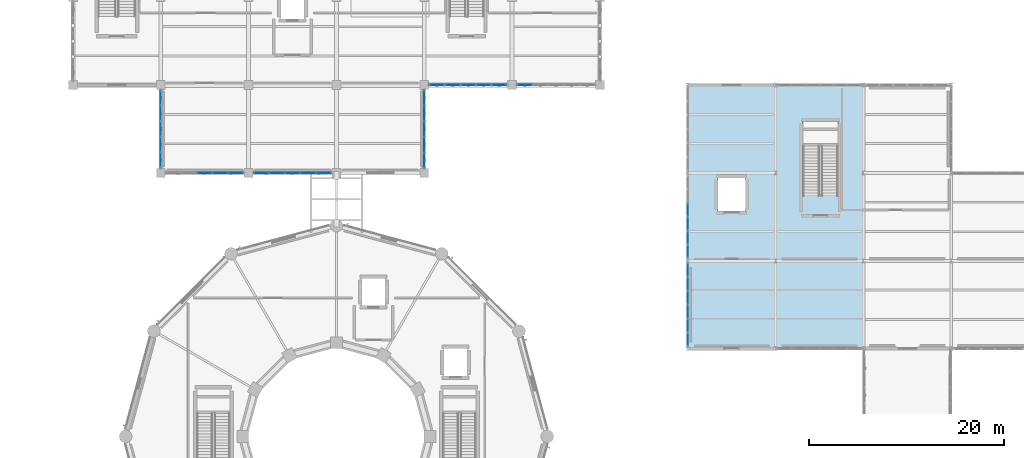
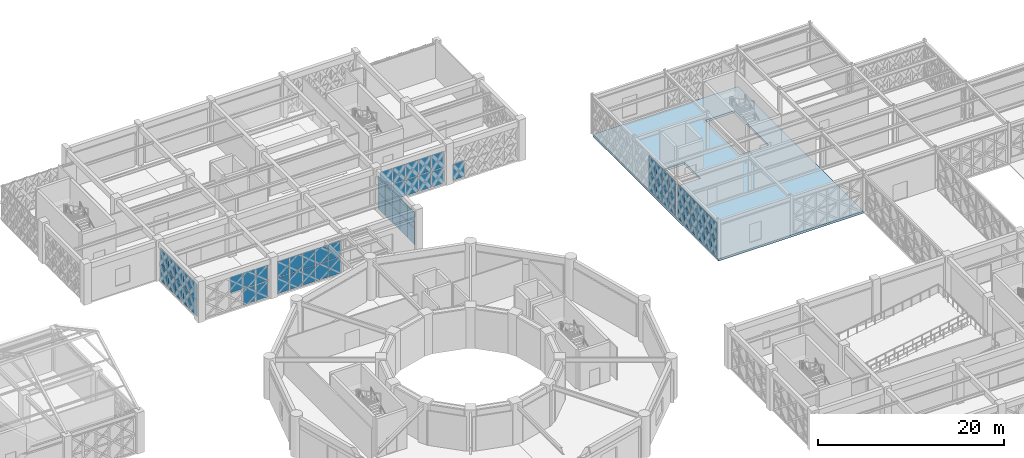
# One storey, part 132 of 166: 66 plates, 1 slab, 8 elements without a shape of their own.
"""IFC4 building model written with IfcOpenShell, lengths in metres."""

from ifc_helpers import new_model, si_unit, direction, frame, origin, origin_2d, place, context, subcontext, project, spatial, polyline, rectangle, outline, extrude, material, layer, layer_set, type_object, element, aggregate, save


model = new_model("IFC4")

# Units and contexts
model_context = context("Model", 3, precision=1e-05, world=origin(), true_north=direction((0.0, 1.0)))
body_context = subcontext(model_context, "Body", "Model", "MODEL_VIEW")
ifc_project = project(units=[si_unit("LENGTHUNIT", "METRE"), si_unit("AREAUNIT", "SQUARE_METRE"), si_unit("VOLUMEUNIT", "CUBIC_METRE"), si_unit("PLANEANGLEUNIT", "RADIAN"), si_unit("MASSUNIT", "GRAM", prefix="KILO")], contexts=[model_context])

# Site, building, storey
site_placement = place(None, origin())
site = spatial("IfcSite", under=ifc_project, at=site_placement, CompositionType="ELEMENT")
building_placement = place(site_placement, origin())
building = spatial("IfcBuilding", under=site, at=building_placement, Name="Haizhuo Lancet Aquarium", CompositionType="ELEMENT")
storey_placement = place(building_placement, frame((0.0, 0.0, 5.39990234375)))
storey = spatial("IfcBuildingStorey", under=building, at=storey_placement, Name="L01", CompositionType="ELEMENT", Elevation=5.39990234375)

# Curtain wall, plate
ifc_material_1 = material(Name="Aluminium 6063-T6", Category="aluminium")
curtain_wall_type_1 = type_object("IfcCurtainWallType", Name="CWD-8010x4390", PredefinedType="NOTDEFINED", material=ifc_material_1)
curtain_wall_1_placement = place(storey_placement, origin())
curtain_wall_1 = element("IfcCurtainWall", 1, at=curtain_wall_1_placement, inside=storey, type_object=curtain_wall_type_1, Name="L01 curtain wall CW-V5-L01-137", PredefinedType="NOTDEFINED")
ifc_material_2 = material(Name="Laminated Low-E Glass", Category="glass")
ifc_layer_1 = layer(ifc_material_2, 0.028076171875)
ifc_layer_set_1 = layer_set([ifc_layer_1], Name="Laminated Low-E Glass")
plate_type_1 = type_object("IfcPlateType", Name="CW-PNL-1", PredefinedType="CURTAIN_PANEL", material=ifc_layer_set_1)
plate_1_placement = place(storey_placement, frame((19.31494140625, 36.0, 0.07470703125), z_axis=(0.0, 0.0, 1.0), x_axis=(-1.0, 0.0, 0.0)))
plate_1 = element("IfcPlate", 2, at=plate_1_placement, type_object=plate_type_1, Name="CWD-80x43 panel 5.1", PredefinedType="CURTAIN_PANEL", context=body_context, shape_type="SweptSolid", body=[
    extrude(rectangle(XDim=1.489990234375, YDim=0.028076171875, at=origin_2d()), origin(), (0.0, 0.0, 1.0), 2.0830078125),
])
aggregate(curtain_wall_1, [plate_1])

# Curtain wall, plates
curtain_wall_type_2 = type_object("IfcCurtainWallType", Name="CWO-8010x4390", PredefinedType="NOTDEFINED", material=ifc_material_1)
curtain_wall_2_placement = place(storey_placement, origin())
curtain_wall_2 = element("IfcCurtainWall", 3, at=curtain_wall_2_placement, inside=storey, type_object=curtain_wall_type_2, Name="L01 curtain wall CW-V5-L01-141", PredefinedType="NOTDEFINED")
plate_2_placement = place(storey_placement, frame((-10.31591796875, 27.0, 0.08056640625), z_axis=(0.0, 0.0, 1.0), x_axis=(-1.0, 0.0, 0.0)))
plate_2 = element("IfcPlate", 4, at=plate_2_placement, type_object=plate_type_1, Name="CWO-80x43 panel 1.1", PredefinedType="CURTAIN_PANEL", context=body_context, shape_type="SweptSolid", body=[
    extrude(rectangle(XDim=1.48193359375, YDim=0.028076171875, at=origin_2d()), origin(), (0.0, 0.0, 1.0), 2.074951171875),
])
plate_3_placement = place(storey_placement, frame((-10.31591796875, 27.0, 2.23486328125), z_axis=(0.0, 0.0, 1.0), x_axis=(-1.0, 0.0, 0.0)))
plate_3 = element("IfcPlate", 5, at=plate_3_placement, type_object=plate_type_1, Name="CWO-80x43 panel 1.2", PredefinedType="CURTAIN_PANEL", context=body_context, shape_type="SweptSolid", body=[
    extrude(rectangle(XDim=1.48193359375, YDim=0.028076171875, at=origin_2d()), origin(), (0.0, 0.0, 1.0), 2.074951171875),
])
plate_4_placement = place(storey_placement, frame((-11.89794921875, 27.0, 0.08056640625), z_axis=(0.0, 0.0, 1.0), x_axis=(-1.0, 0.0, 0.0)))
plate_4 = element("IfcPlate", 6, at=plate_4_placement, type_object=plate_type_1, Name="CWO-80x43 panel 2.1", PredefinedType="CURTAIN_PANEL", context=body_context, shape_type="SweptSolid", body=[
    extrude(rectangle(XDim=1.52197265625, YDim=0.028076171875, at=origin_2d()), origin(), (0.0, 0.0, 1.0), 2.074951171875),
])
plate_5_placement = place(storey_placement, frame((-11.89794921875, 27.0, 2.23486328125), z_axis=(0.0, 0.0, 1.0), x_axis=(-1.0, 0.0, 0.0)))
plate_5 = element("IfcPlate", 7, at=plate_5_placement, type_object=plate_type_1, Name="CWO-80x43 panel 2.2", PredefinedType="CURTAIN_PANEL", context=body_context, shape_type="SweptSolid", body=[
    extrude(rectangle(XDim=1.52197265625, YDim=0.028076171875, at=origin_2d()), origin(), (0.0, 0.0, 1.0), 2.074951171875),
])
plate_6_placement = place(storey_placement, frame((-13.5, 27.0, 2.23486328125), z_axis=(0.0, 0.0, 1.0), x_axis=(-1.0, 0.0, 0.0)))
plate_6 = element("IfcPlate", 8, at=plate_6_placement, type_object=plate_type_1, Name="CWO-80x43 panel 3.2", PredefinedType="CURTAIN_PANEL", context=body_context, shape_type="SweptSolid", body=[
    extrude(rectangle(XDim=1.52197265625, YDim=0.028076171875, at=origin_2d()), origin(), (0.0, 0.0, 1.0), 2.074951171875),
])
aggregate(curtain_wall_2, [plate_2, plate_3, plate_4, plate_5, plate_6])

curtain_wall_type_3 = type_object("IfcCurtainWallType", Name="CWD-8560x4650", PredefinedType="NOTDEFINED", material=ifc_material_1)
curtain_wall_3_placement = place(storey_placement, origin())
curtain_wall_3 = element("IfcCurtainWall", 9, at=curtain_wall_3_placement, inside=storey, type_object=curtain_wall_type_3, Name="L01 curtain wall CW-V7-L01-293", PredefinedType="NOTDEFINED")
plate_7_placement = place(storey_placement, frame((36.0, 9.951904296875, 0.0751953125), z_axis=(0.0, 0.0, 1.0), x_axis=(0.0, 1.0, 0.0)))
plate_7 = element("IfcPlate", 10, at=plate_7_placement, type_object=plate_type_1, Name="CWD-85x46 panel 1.1", PredefinedType="CURTAIN_PANEL", context=body_context, shape_type="SweptSolid", body=[
    extrude(rectangle(XDim=1.31396484375, YDim=0.028076171875, at=origin_2d()), origin(), (0.0, 0.0, 1.0), 2.214111328125),
])
plate_8_placement = place(storey_placement, frame((36.0, 9.951904296875, 2.36328125), z_axis=(0.0, 0.0, 1.0), x_axis=(0.0, 1.0, 0.0)))
plate_8 = element("IfcPlate", 11, at=plate_8_placement, type_object=plate_type_1, Name="CWD-85x46 panel 1.2", PredefinedType="CURTAIN_PANEL", context=body_context, shape_type="SweptSolid", body=[
    extrude(rectangle(XDim=1.31396484375, YDim=0.028076171875, at=origin_2d()), origin(), (0.0, 0.0, 1.0), 2.214111328125),
])
plate_9_placement = place(storey_placement, frame((36.0, 11.360107421875, 0.0751953125), z_axis=(0.0, 0.0, 1.0), x_axis=(0.0, 1.0, 0.0)))
plate_9 = element("IfcPlate", 12, at=plate_9_placement, type_object=plate_type_1, Name="CWD-85x46 panel 2.1", PredefinedType="CURTAIN_PANEL", context=body_context, shape_type="SweptSolid", body=[
    extrude(rectangle(XDim=1.35205078125, YDim=0.028076171875, at=origin_2d()), origin(), (0.0, 0.0, 1.0), 2.214111328125),
])
plate_10_placement = place(storey_placement, frame((36.0, 11.360107421875, 2.36328125), z_axis=(0.0, 0.0, 1.0), x_axis=(0.0, 1.0, 0.0)))
plate_10 = element("IfcPlate", 13, at=plate_10_placement, type_object=plate_type_1, Name="CWD-85x46 panel 2.2", PredefinedType="CURTAIN_PANEL", context=body_context, shape_type="SweptSolid", body=[
    extrude(rectangle(XDim=1.35205078125, YDim=0.028076171875, at=origin_2d()), origin(), (0.0, 0.0, 1.0), 2.214111328125),
])
plate_11_placement = place(storey_placement, frame((36.0, 12.787109375, 0.0751953125), z_axis=(0.0, 0.0, 1.0), x_axis=(0.0, 1.0, 0.0)))
plate_11 = element("IfcPlate", 14, at=plate_11_placement, type_object=plate_type_1, Name="CWD-85x46 panel 3.1", PredefinedType="CURTAIN_PANEL", context=body_context, shape_type="SweptSolid", body=[
    extrude(rectangle(XDim=1.35205078125, YDim=0.028076171875, at=origin_2d()), origin(), (0.0, 0.0, 1.0), 2.214111328125),
])
plate_12_placement = place(storey_placement, frame((36.0, 12.787109375, 2.36328125), z_axis=(0.0, 0.0, 1.0), x_axis=(0.0, 1.0, 0.0)))
plate_12 = element("IfcPlate", 15, at=plate_12_placement, type_object=plate_type_1, Name="CWD-85x46 panel 3.2", PredefinedType="CURTAIN_PANEL", context=body_context, shape_type="SweptSolid", body=[
    extrude(rectangle(XDim=1.35205078125, YDim=0.028076171875, at=origin_2d()), origin(), (0.0, 0.0, 1.0), 2.214111328125),
])
plate_13_placement = place(storey_placement, frame((36.0, 14.212890625, 0.0751953125), z_axis=(0.0, 0.0, 1.0), x_axis=(0.0, 1.0, 0.0)))
plate_13 = element("IfcPlate", 16, at=plate_13_placement, type_object=plate_type_1, Name="CWD-85x46 panel 4.1", PredefinedType="CURTAIN_PANEL", context=body_context, shape_type="SweptSolid", body=[
    extrude(rectangle(XDim=1.35205078125, YDim=0.028076171875, at=origin_2d()), origin(), (0.0, 0.0, 1.0), 2.214111328125),
])
plate_14_placement = place(storey_placement, frame((36.0, 14.212890625, 2.36328125), z_axis=(0.0, 0.0, 1.0), x_axis=(0.0, 1.0, 0.0)))
plate_14 = element("IfcPlate", 17, at=plate_14_placement, type_object=plate_type_1, Name="CWD-85x46 panel 4.2", PredefinedType="CURTAIN_PANEL", context=body_context, shape_type="SweptSolid", body=[
    extrude(rectangle(XDim=1.35205078125, YDim=0.028076171875, at=origin_2d()), origin(), (0.0, 0.0, 1.0), 2.214111328125),
])
plate_15_placement = place(storey_placement, frame((36.0, 15.639892578125, 0.0751953125), z_axis=(0.0, 0.0, 1.0), x_axis=(0.0, 1.0, 0.0)))
plate_15 = element("IfcPlate", 18, at=plate_15_placement, type_object=plate_type_1, Name="CWD-85x46 panel 5.1", PredefinedType="CURTAIN_PANEL", context=body_context, shape_type="SweptSolid", body=[
    extrude(rectangle(XDim=1.35205078125, YDim=0.028076171875, at=origin_2d()), origin(), (0.0, 0.0, 1.0), 2.214111328125),
])
plate_16_placement = place(storey_placement, frame((36.0, 15.639892578125, 2.36328125), z_axis=(0.0, 0.0, 1.0), x_axis=(0.0, 1.0, 0.0)))
plate_16 = element("IfcPlate", 19, at=plate_16_placement, type_object=plate_type_1, Name="CWD-85x46 panel 5.2", PredefinedType="CURTAIN_PANEL", context=body_context, shape_type="SweptSolid", body=[
    extrude(rectangle(XDim=1.35205078125, YDim=0.028076171875, at=origin_2d()), origin(), (0.0, 0.0, 1.0), 2.214111328125),
])
plate_17_placement = place(storey_placement, frame((36.0, 17.048095703125, 0.0751953125), z_axis=(0.0, 0.0, 1.0), x_axis=(0.0, 1.0, 0.0)))
plate_17 = element("IfcPlate", 20, at=plate_17_placement, type_object=plate_type_1, Name="CWD-85x46 panel 6.1", PredefinedType="CURTAIN_PANEL", context=body_context, shape_type="SweptSolid", body=[
    extrude(rectangle(XDim=1.31396484375, YDim=0.028076171875, at=origin_2d()), origin(), (0.0, 0.0, 1.0), 2.214111328125),
])
plate_18_placement = place(storey_placement, frame((36.0, 17.048095703125, 2.36328125), z_axis=(0.0, 0.0, 1.0), x_axis=(0.0, 1.0, 0.0)))
plate_18 = element("IfcPlate", 21, at=plate_18_placement, type_object=plate_type_1, Name="CWD-85x46 panel 6.2", PredefinedType="CURTAIN_PANEL", context=body_context, shape_type="SweptSolid", body=[
    extrude(rectangle(XDim=1.31396484375, YDim=0.028076171875, at=origin_2d()), origin(), (0.0, 0.0, 1.0), 2.214111328125),
])
aggregate(curtain_wall_3, [plate_7, plate_8, plate_9, plate_10, plate_11, plate_12, plate_13, plate_14, plate_15, plate_16, plate_17, plate_18])

curtain_wall_4_placement = place(storey_placement, origin())
curtain_wall_4 = element("IfcCurtainWall", 22, at=curtain_wall_4_placement, inside=storey, type_object=curtain_wall_type_1, Name="L01 curtain wall CW-V5-L01-138", PredefinedType="NOTDEFINED")
ifc_layer_2 = layer(ifc_material_2, 0.033935546875)
ifc_layer_set_2 = layer_set([ifc_layer_2], Name="Laminated Low-E Glass")
plate_type_2 = type_object("IfcPlateType", Name="CW-PNL-2", PredefinedType="CURTAIN_PANEL", material=ifc_layer_set_2)
plate_19_placement = place(storey_placement, frame((16.68408203125, 36.0, 0.08056640625), z_axis=(0.0, 0.0, 1.0), x_axis=(-1.0, 0.0, 0.0)))
plate_19 = element("IfcPlate", 23, at=plate_19_placement, type_object=plate_type_2, Name="CWD-80x43 panel 1.1", PredefinedType="CURTAIN_PANEL", context=body_context, shape_type="SweptSolid", body=[
    extrude(rectangle(XDim=1.48193359375, YDim=0.033935546875, at=origin_2d()), origin(), (0.0, 0.0, 1.0), 2.074951171875),
])
plate_20_placement = place(storey_placement, frame((16.68408203125, 36.0, 2.23486328125), z_axis=(0.0, 0.0, 1.0), x_axis=(-1.0, 0.0, 0.0)))
plate_20 = element("IfcPlate", 24, at=plate_20_placement, type_object=plate_type_2, Name="CWD-80x43 panel 1.2", PredefinedType="CURTAIN_PANEL", context=body_context, shape_type="SweptSolid", body=[
    extrude(rectangle(XDim=1.48193359375, YDim=0.033935546875, at=origin_2d()), origin(), (0.0, 0.0, 1.0), 2.074951171875),
])
plate_21_placement = place(storey_placement, frame((15.10205078125, 36.0, 0.08056640625), z_axis=(0.0, 0.0, 1.0), x_axis=(-1.0, 0.0, 0.0)))
plate_21 = element("IfcPlate", 25, at=plate_21_placement, type_object=plate_type_2, Name="CWD-80x43 panel 2.1", PredefinedType="CURTAIN_PANEL", context=body_context, shape_type="SweptSolid", body=[
    extrude(rectangle(XDim=1.52197265625, YDim=0.033935546875, at=origin_2d()), origin(), (0.0, 0.0, 1.0), 2.074951171875),
])
plate_22_placement = place(storey_placement, frame((15.10205078125, 36.0, 2.23486328125), z_axis=(0.0, 0.0, 1.0), x_axis=(-1.0, 0.0, 0.0)))
plate_22 = element("IfcPlate", 26, at=plate_22_placement, type_object=plate_type_2, Name="CWD-80x43 panel 2.2", PredefinedType="CURTAIN_PANEL", context=body_context, shape_type="SweptSolid", body=[
    extrude(rectangle(XDim=1.52197265625, YDim=0.033935546875, at=origin_2d()), origin(), (0.0, 0.0, 1.0), 2.074951171875),
])
plate_23_placement = place(storey_placement, frame((13.5, 36.0, 0.08056640625), z_axis=(0.0, 0.0, 1.0), x_axis=(-1.0, 0.0, 0.0)))
plate_23 = element("IfcPlate", 27, at=plate_23_placement, type_object=plate_type_2, Name="CWD-80x43 panel 3.1", PredefinedType="CURTAIN_PANEL", context=body_context, shape_type="SweptSolid", body=[
    extrude(rectangle(XDim=1.52197265625, YDim=0.033935546875, at=origin_2d()), origin(), (0.0, 0.0, 1.0), 2.074951171875),
])
plate_24_placement = place(storey_placement, frame((13.5, 36.0, 2.23486328125), z_axis=(0.0, 0.0, 1.0), x_axis=(-1.0, 0.0, 0.0)))
plate_24 = element("IfcPlate", 28, at=plate_24_placement, type_object=plate_type_2, Name="CWD-80x43 panel 3.2", PredefinedType="CURTAIN_PANEL", context=body_context, shape_type="SweptSolid", body=[
    extrude(rectangle(XDim=1.52197265625, YDim=0.033935546875, at=origin_2d()), origin(), (0.0, 0.0, 1.0), 2.074951171875),
])
plate_25_placement = place(storey_placement, frame((11.89794921875, 36.0, 0.08056640625), z_axis=(0.0, 0.0, 1.0), x_axis=(-1.0, 0.0, 0.0)))
plate_25 = element("IfcPlate", 29, at=plate_25_placement, type_object=plate_type_2, Name="CWD-80x43 panel 4.1", PredefinedType="CURTAIN_PANEL", context=body_context, shape_type="SweptSolid", body=[
    extrude(rectangle(XDim=1.52197265625, YDim=0.033935546875, at=origin_2d()), origin(), (0.0, 0.0, 1.0), 2.074951171875),
])
plate_26_placement = place(storey_placement, frame((11.89794921875, 36.0, 2.23486328125), z_axis=(0.0, 0.0, 1.0), x_axis=(-1.0, 0.0, 0.0)))
plate_26 = element("IfcPlate", 30, at=plate_26_placement, type_object=plate_type_2, Name="CWD-80x43 panel 4.2", PredefinedType="CURTAIN_PANEL", context=body_context, shape_type="SweptSolid", body=[
    extrude(rectangle(XDim=1.52197265625, YDim=0.033935546875, at=origin_2d()), origin(), (0.0, 0.0, 1.0), 2.074951171875),
])
plate_27_placement = place(storey_placement, frame((10.31591796875, 36.0, 0.08056640625), z_axis=(0.0, 0.0, 1.0), x_axis=(-1.0, 0.0, 0.0)))
plate_27 = element("IfcPlate", 31, at=plate_27_placement, type_object=plate_type_2, Name="CWD-80x43 panel 5.1", PredefinedType="CURTAIN_PANEL", context=body_context, shape_type="SweptSolid", body=[
    extrude(rectangle(XDim=1.48193359375, YDim=0.033935546875, at=origin_2d()), origin(), (0.0, 0.0, 1.0), 2.074951171875),
])
plate_28_placement = place(storey_placement, frame((10.31591796875, 36.0, 2.23486328125), z_axis=(0.0, 0.0, 1.0), x_axis=(-1.0, 0.0, 0.0)))
plate_28 = element("IfcPlate", 32, at=plate_28_placement, type_object=plate_type_2, Name="CWD-80x43 panel 5.2", PredefinedType="CURTAIN_PANEL", context=body_context, shape_type="SweptSolid", body=[
    extrude(rectangle(XDim=1.48193359375, YDim=0.033935546875, at=origin_2d()), origin(), (0.0, 0.0, 1.0), 2.074951171875),
])
aggregate(curtain_wall_4, [plate_19, plate_20, plate_21, plate_22, plate_23, plate_24, plate_25, plate_26, plate_27, plate_28])

curtain_wall_type_4 = type_object("IfcCurtainWallType", Name="CWD-8010x4440", PredefinedType="NOTDEFINED", material=ifc_material_1)
curtain_wall_5_placement = place(storey_placement, origin())
curtain_wall_5 = element("IfcCurtainWall", 33, at=curtain_wall_5_placement, inside=storey, type_object=curtain_wall_type_4, Name="L01 curtain wall CW-V5-L01-142", PredefinedType="NOTDEFINED")
plate_29_placement = place(storey_placement, frame((-18.0, 28.31201171875, 0.064453125), z_axis=(0.0, 0.0, 1.0), x_axis=(0.0, 1.0, 0.0)))
plate_29 = element("IfcPlate", 34, at=plate_29_placement, type_object=plate_type_2, Name="CWD-80x44 panel 1.1", PredefinedType="CURTAIN_PANEL", context=body_context, shape_type="SweptSolid", body=[
    extrude(rectangle(XDim=1.5048828125, YDim=0.033935546875, at=origin_2d()), origin(), (0.0, 0.0, 1.0), 2.123046875),
])
plate_30_placement = place(storey_placement, frame((-18.0, 28.31201171875, 2.253173828125), z_axis=(0.0, 0.0, 1.0), x_axis=(0.0, 1.0, 0.0)))
plate_30 = element("IfcPlate", 35, at=plate_30_placement, type_object=plate_type_2, Name="CWD-80x44 panel 1.2", PredefinedType="CURTAIN_PANEL", context=body_context, shape_type="SweptSolid", body=[
    extrude(rectangle(XDim=1.5048828125, YDim=0.033935546875, at=origin_2d()), origin(), (0.0, 0.0, 1.0), 2.1220703125),
])
plate_31_placement = place(storey_placement, frame((-18.0, 29.89794921875, 0.064453125), z_axis=(0.0, 0.0, 1.0), x_axis=(0.0, 1.0, 0.0)))
plate_31 = element("IfcPlate", 36, at=plate_31_placement, type_object=plate_type_2, Name="CWD-80x44 panel 2.1", PredefinedType="CURTAIN_PANEL", context=body_context, shape_type="SweptSolid", body=[
    extrude(rectangle(XDim=1.537109375, YDim=0.033935546875, at=origin_2d()), origin(), (0.0, 0.0, 1.0), 2.123046875),
])
plate_32_placement = place(storey_placement, frame((-18.0, 29.89794921875, 2.253173828125), z_axis=(0.0, 0.0, 1.0), x_axis=(0.0, 1.0, 0.0)))
plate_32 = element("IfcPlate", 37, at=plate_32_placement, type_object=plate_type_2, Name="CWD-80x44 panel 2.2", PredefinedType="CURTAIN_PANEL", context=body_context, shape_type="SweptSolid", body=[
    extrude(rectangle(XDim=1.537109375, YDim=0.033935546875, at=origin_2d()), origin(), (0.0, 0.0, 1.0), 2.1220703125),
])
plate_33_placement = place(storey_placement, frame((-18.0, 31.5, 0.064453125), z_axis=(0.0, 0.0, 1.0), x_axis=(0.0, 1.0, 0.0)))
plate_33 = element("IfcPlate", 38, at=plate_33_placement, type_object=plate_type_2, Name="CWD-80x44 panel 3.1", PredefinedType="CURTAIN_PANEL", context=body_context, shape_type="SweptSolid", body=[
    extrude(rectangle(XDim=1.537109375, YDim=0.033935546875, at=origin_2d()), origin(), (0.0, 0.0, 1.0), 2.123046875),
])
plate_34_placement = place(storey_placement, frame((-18.0, 31.5, 2.253173828125), z_axis=(0.0, 0.0, 1.0), x_axis=(0.0, 1.0, 0.0)))
plate_34 = element("IfcPlate", 39, at=plate_34_placement, type_object=plate_type_2, Name="CWD-80x44 panel 3.2", PredefinedType="CURTAIN_PANEL", context=body_context, shape_type="SweptSolid", body=[
    extrude(rectangle(XDim=1.537109375, YDim=0.033935546875, at=origin_2d()), origin(), (0.0, 0.0, 1.0), 2.1220703125),
])
plate_35_placement = place(storey_placement, frame((-18.0, 33.10205078125, 0.064453125), z_axis=(0.0, 0.0, 1.0), x_axis=(0.0, 1.0, 0.0)))
plate_35 = element("IfcPlate", 40, at=plate_35_placement, type_object=plate_type_2, Name="CWD-80x44 panel 4.1", PredefinedType="CURTAIN_PANEL", context=body_context, shape_type="SweptSolid", body=[
    extrude(rectangle(XDim=1.537109375, YDim=0.033935546875, at=origin_2d()), origin(), (0.0, 0.0, 1.0), 2.123046875),
])
plate_36_placement = place(storey_placement, frame((-18.0, 33.10205078125, 2.253173828125), z_axis=(0.0, 0.0, 1.0), x_axis=(0.0, 1.0, 0.0)))
plate_36 = element("IfcPlate", 41, at=plate_36_placement, type_object=plate_type_2, Name="CWD-80x44 panel 4.2", PredefinedType="CURTAIN_PANEL", context=body_context, shape_type="SweptSolid", body=[
    extrude(rectangle(XDim=1.537109375, YDim=0.033935546875, at=origin_2d()), origin(), (0.0, 0.0, 1.0), 2.1220703125),
])
plate_37_placement = place(storey_placement, frame((-18.0, 34.68798828125, 0.064453125), z_axis=(0.0, 0.0, 1.0), x_axis=(0.0, 1.0, 0.0)))
plate_37 = element("IfcPlate", 42, at=plate_37_placement, type_object=plate_type_2, Name="CWD-80x44 panel 5.1", PredefinedType="CURTAIN_PANEL", context=body_context, shape_type="SweptSolid", body=[
    extrude(rectangle(XDim=1.5048828125, YDim=0.033935546875, at=origin_2d()), origin(), (0.0, 0.0, 1.0), 2.123046875),
])
plate_38_placement = place(storey_placement, frame((-18.0, 34.68798828125, 2.253173828125), z_axis=(0.0, 0.0, 1.0), x_axis=(0.0, 1.0, 0.0)))
plate_38 = element("IfcPlate", 43, at=plate_38_placement, type_object=plate_type_2, Name="CWD-80x44 panel 5.2", PredefinedType="CURTAIN_PANEL", context=body_context, shape_type="SweptSolid", body=[
    extrude(rectangle(XDim=1.5048828125, YDim=0.033935546875, at=origin_2d()), origin(), (0.0, 0.0, 1.0), 2.1220703125),
])
aggregate(curtain_wall_5, [plate_29, plate_30, plate_31, plate_32, plate_33, plate_34, plate_35, plate_36, plate_37, plate_38])

curtain_wall_6_placement = place(storey_placement, origin())
curtain_wall_6 = element("IfcCurtainWall", 44, at=curtain_wall_6_placement, inside=storey, type_object=curtain_wall_type_3, Name="L01 curtain wall CW-V7-L01-294", PredefinedType="NOTDEFINED")
plate_39_placement = place(storey_placement, frame((36.0, 18.952880859375, 0.080078125), z_axis=(0.0, 0.0, 1.0), x_axis=(0.0, 1.0, 0.0)))
plate_39 = element("IfcPlate", 45, at=plate_39_placement, type_object=plate_type_2, Name="CWD-85x46 panel 1.1", PredefinedType="CURTAIN_PANEL", context=body_context, shape_type="SweptSolid", body=[
    extrude(rectangle(XDim=1.306884765625, YDim=0.033935546875, at=origin_2d()), origin(), (0.0, 0.0, 1.0), 2.2060546875),
])
plate_40_placement = place(storey_placement, frame((36.0, 18.952880859375, 2.365966796875), z_axis=(0.0, 0.0, 1.0), x_axis=(0.0, 1.0, 0.0)))
plate_40 = element("IfcPlate", 46, at=plate_40_placement, type_object=plate_type_2, Name="CWD-85x46 panel 1.2", PredefinedType="CURTAIN_PANEL", context=body_context, shape_type="SweptSolid", body=[
    extrude(rectangle(XDim=1.306884765625, YDim=0.033935546875, at=origin_2d()), origin(), (0.0, 0.0, 1.0), 2.2060546875),
])
plate_41_placement = place(storey_placement, frame((36.0, 20.360107421875, 0.080078125), z_axis=(0.0, 0.0, 1.0), x_axis=(0.0, 1.0, 0.0)))
plate_41 = element("IfcPlate", 47, at=plate_41_placement, type_object=plate_type_2, Name="CWD-85x46 panel 2.1", PredefinedType="CURTAIN_PANEL", context=body_context, shape_type="SweptSolid", body=[
    extrude(rectangle(XDim=1.346923828125, YDim=0.033935546875, at=origin_2d()), origin(), (0.0, 0.0, 1.0), 2.2060546875),
])
plate_42_placement = place(storey_placement, frame((36.0, 20.360107421875, 2.365966796875), z_axis=(0.0, 0.0, 1.0), x_axis=(0.0, 1.0, 0.0)))
plate_42 = element("IfcPlate", 48, at=plate_42_placement, type_object=plate_type_2, Name="CWD-85x46 panel 2.2", PredefinedType="CURTAIN_PANEL", context=body_context, shape_type="SweptSolid", body=[
    extrude(rectangle(XDim=1.346923828125, YDim=0.033935546875, at=origin_2d()), origin(), (0.0, 0.0, 1.0), 2.2060546875),
])
plate_43_placement = place(storey_placement, frame((36.0, 21.787109375, 0.080078125), z_axis=(0.0, 0.0, 1.0), x_axis=(0.0, 1.0, 0.0)))
plate_43 = element("IfcPlate", 49, at=plate_43_placement, type_object=plate_type_2, Name="CWD-85x46 panel 3.1", PredefinedType="CURTAIN_PANEL", context=body_context, shape_type="SweptSolid", body=[
    extrude(rectangle(XDim=1.346923828125, YDim=0.033935546875, at=origin_2d()), origin(), (0.0, 0.0, 1.0), 2.2060546875),
])
plate_44_placement = place(storey_placement, frame((36.0, 21.787109375, 2.365966796875), z_axis=(0.0, 0.0, 1.0), x_axis=(0.0, 1.0, 0.0)))
plate_44 = element("IfcPlate", 50, at=plate_44_placement, type_object=plate_type_2, Name="CWD-85x46 panel 3.2", PredefinedType="CURTAIN_PANEL", context=body_context, shape_type="SweptSolid", body=[
    extrude(rectangle(XDim=1.346923828125, YDim=0.033935546875, at=origin_2d()), origin(), (0.0, 0.0, 1.0), 2.2060546875),
])
plate_45_placement = place(storey_placement, frame((36.0, 23.212890625, 0.080078125), z_axis=(0.0, 0.0, 1.0), x_axis=(0.0, 1.0, 0.0)))
plate_45 = element("IfcPlate", 51, at=plate_45_placement, type_object=plate_type_2, Name="CWD-85x46 panel 4.1", PredefinedType="CURTAIN_PANEL", context=body_context, shape_type="SweptSolid", body=[
    extrude(rectangle(XDim=1.346923828125, YDim=0.033935546875, at=origin_2d()), origin(), (0.0, 0.0, 1.0), 2.2060546875),
])
plate_46_placement = place(storey_placement, frame((36.0, 23.212890625, 2.365966796875), z_axis=(0.0, 0.0, 1.0), x_axis=(0.0, 1.0, 0.0)))
plate_46 = element("IfcPlate", 52, at=plate_46_placement, type_object=plate_type_2, Name="CWD-85x46 panel 4.2", PredefinedType="CURTAIN_PANEL", context=body_context, shape_type="SweptSolid", body=[
    extrude(rectangle(XDim=1.346923828125, YDim=0.033935546875, at=origin_2d()), origin(), (0.0, 0.0, 1.0), 2.2060546875),
])
aggregate(curtain_wall_6, [plate_39, plate_40, plate_41, plate_42, plate_43, plate_44, plate_45, plate_46])

curtain_wall_7_placement = place(storey_placement, origin())
curtain_wall_7 = element("IfcCurtainWall", 53, at=curtain_wall_7_placement, inside=storey, type_object=curtain_wall_type_4, Name="L01 curtain wall CW-V5-L01-139", PredefinedType="NOTDEFINED")
ifc_layer_3 = layer(ifc_material_2, 0.0419921875)
ifc_layer_set_3 = layer_set([ifc_layer_3], Name="Laminated Low-E Glass")
plate_type_3 = type_object("IfcPlateType", Name="CW-PNL-3", PredefinedType="CURTAIN_PANEL", material=ifc_layer_set_3)
plate_47_placement = place(storey_placement, frame((9.0, 34.68798828125, 0.064453125), z_axis=(0.0, 0.0, 1.0), x_axis=(0.0, -1.0, 0.0)))
plate_47 = element("IfcPlate", 54, at=plate_47_placement, type_object=plate_type_3, Name="CWD-80x44 panel 1.1", PredefinedType="CURTAIN_PANEL", context=body_context, shape_type="SweptSolid", body=[
    extrude(rectangle(XDim=1.5048828125, YDim=0.0419921875, at=origin_2d()), origin(), (0.0, 0.0, 1.0), 2.123046875),
])
plate_48_placement = place(storey_placement, frame((9.0, 34.68798828125, 2.253173828125), z_axis=(0.0, 0.0, 1.0), x_axis=(0.0, -1.0, 0.0)))
plate_48 = element("IfcPlate", 55, at=plate_48_placement, type_object=plate_type_3, Name="CWD-80x44 panel 1.2", PredefinedType="CURTAIN_PANEL", context=body_context, shape_type="SweptSolid", body=[
    extrude(rectangle(XDim=1.5048828125, YDim=0.0419921875, at=origin_2d()), origin(), (0.0, 0.0, 1.0), 2.1220703125),
])
plate_49_placement = place(storey_placement, frame((9.0, 33.10205078125, 0.064453125), z_axis=(0.0, 0.0, 1.0), x_axis=(0.0, -1.0, 0.0)))
plate_49 = element("IfcPlate", 56, at=plate_49_placement, type_object=plate_type_3, Name="CWD-80x44 panel 2.1", PredefinedType="CURTAIN_PANEL", context=body_context, shape_type="SweptSolid", body=[
    extrude(rectangle(XDim=1.537109375, YDim=0.0419921875, at=origin_2d()), origin(), (0.0, 0.0, 1.0), 2.123046875),
])
plate_50_placement = place(storey_placement, frame((9.0, 33.10205078125, 2.253173828125), z_axis=(0.0, 0.0, 1.0), x_axis=(0.0, -1.0, 0.0)))
plate_50 = element("IfcPlate", 57, at=plate_50_placement, type_object=plate_type_3, Name="CWD-80x44 panel 2.2", PredefinedType="CURTAIN_PANEL", context=body_context, shape_type="SweptSolid", body=[
    extrude(rectangle(XDim=1.537109375, YDim=0.0419921875, at=origin_2d()), origin(), (0.0, 0.0, 1.0), 2.1220703125),
])
plate_51_placement = place(storey_placement, frame((9.0, 31.5, 0.064453125), z_axis=(0.0, 0.0, 1.0), x_axis=(0.0, -1.0, 0.0)))
plate_51 = element("IfcPlate", 58, at=plate_51_placement, type_object=plate_type_3, Name="CWD-80x44 panel 3.1", PredefinedType="CURTAIN_PANEL", context=body_context, shape_type="SweptSolid", body=[
    extrude(rectangle(XDim=1.537109375, YDim=0.0419921875, at=origin_2d()), origin(), (0.0, 0.0, 1.0), 2.123046875),
])
plate_52_placement = place(storey_placement, frame((9.0, 31.5, 2.253173828125), z_axis=(0.0, 0.0, 1.0), x_axis=(0.0, -1.0, 0.0)))
plate_52 = element("IfcPlate", 59, at=plate_52_placement, type_object=plate_type_3, Name="CWD-80x44 panel 3.2", PredefinedType="CURTAIN_PANEL", context=body_context, shape_type="SweptSolid", body=[
    extrude(rectangle(XDim=1.537109375, YDim=0.0419921875, at=origin_2d()), origin(), (0.0, 0.0, 1.0), 2.1220703125),
])
plate_53_placement = place(storey_placement, frame((9.0, 29.89794921875, 0.064453125), z_axis=(0.0, 0.0, 1.0), x_axis=(0.0, -1.0, 0.0)))
plate_53 = element("IfcPlate", 60, at=plate_53_placement, type_object=plate_type_3, Name="CWD-80x44 panel 4.1", PredefinedType="CURTAIN_PANEL", context=body_context, shape_type="SweptSolid", body=[
    extrude(rectangle(XDim=1.537109375, YDim=0.0419921875, at=origin_2d()), origin(), (0.0, 0.0, 1.0), 2.123046875),
])
plate_54_placement = place(storey_placement, frame((9.0, 29.89794921875, 2.253173828125), z_axis=(0.0, 0.0, 1.0), x_axis=(0.0, -1.0, 0.0)))
plate_54 = element("IfcPlate", 61, at=plate_54_placement, type_object=plate_type_3, Name="CWD-80x44 panel 4.2", PredefinedType="CURTAIN_PANEL", context=body_context, shape_type="SweptSolid", body=[
    extrude(rectangle(XDim=1.537109375, YDim=0.0419921875, at=origin_2d()), origin(), (0.0, 0.0, 1.0), 2.1220703125),
])
plate_55_placement = place(storey_placement, frame((9.0, 28.31201171875, 0.064453125), z_axis=(0.0, 0.0, 1.0), x_axis=(0.0, -1.0, 0.0)))
plate_55 = element("IfcPlate", 62, at=plate_55_placement, type_object=plate_type_3, Name="CWD-80x44 panel 5.1", PredefinedType="CURTAIN_PANEL", context=body_context, shape_type="SweptSolid", body=[
    extrude(rectangle(XDim=1.5048828125, YDim=0.0419921875, at=origin_2d()), origin(), (0.0, 0.0, 1.0), 2.123046875),
])
plate_56_placement = place(storey_placement, frame((9.0, 28.31201171875, 2.253173828125), z_axis=(0.0, 0.0, 1.0), x_axis=(0.0, -1.0, 0.0)))
plate_56 = element("IfcPlate", 63, at=plate_56_placement, type_object=plate_type_3, Name="CWD-80x44 panel 5.2", PredefinedType="CURTAIN_PANEL", context=body_context, shape_type="SweptSolid", body=[
    extrude(rectangle(XDim=1.5048828125, YDim=0.0419921875, at=origin_2d()), origin(), (0.0, 0.0, 1.0), 2.1220703125),
])
aggregate(curtain_wall_7, [plate_47, plate_48, plate_49, plate_50, plate_51, plate_52, plate_53, plate_54, plate_55, plate_56])

curtain_wall_8_placement = place(storey_placement, origin())
curtain_wall_8 = element("IfcCurtainWall", 64, at=curtain_wall_8_placement, inside=storey, type_object=curtain_wall_type_2, Name="L01 curtain wall CW-V5-L01-140", PredefinedType="NOTDEFINED")
ifc_layer_4 = layer(ifc_material_2, 0.052001953125)
ifc_layer_set_4 = layer_set([ifc_layer_4], Name="Laminated Low-E Glass")
plate_type_4 = type_object("IfcPlateType", Name="CW-PNL-4", PredefinedType="CURTAIN_PANEL", material=ifc_layer_set_4)
plate_57_placement = place(storey_placement, frame((-1.31494140625, 27.0, 0.07470703125), z_axis=(0.0, 0.0, 1.0), x_axis=(-1.0, 0.0, 0.0)))
plate_57 = element("IfcPlate", 65, at=plate_57_placement, type_object=plate_type_4, Name="CWO-80x43 panel 1.1", PredefinedType="CURTAIN_PANEL", context=body_context, shape_type="SweptSolid", body=[
    extrude(rectangle(XDim=1.489990234375, YDim=0.052001953125, at=origin_2d()), origin(), (0.0, 0.0, 1.0), 2.0830078125),
])
plate_58_placement = place(storey_placement, frame((-1.31494140625, 27.0, 2.232666015625), z_axis=(0.0, 0.0, 1.0), x_axis=(-1.0, 0.0, 0.0)))
plate_58 = element("IfcPlate", 66, at=plate_58_placement, type_object=plate_type_4, Name="CWO-80x43 panel 1.2", PredefinedType="CURTAIN_PANEL", context=body_context, shape_type="SweptSolid", body=[
    extrude(rectangle(XDim=1.489990234375, YDim=0.052001953125, at=origin_2d()), origin(), (0.0, 0.0, 1.0), 2.0830078125),
])
plate_59_placement = place(storey_placement, frame((-2.89794921875, 27.0, 0.07470703125), z_axis=(0.0, 0.0, 1.0), x_axis=(-1.0, 0.0, 0.0)))
plate_59 = element("IfcPlate", 67, at=plate_59_placement, type_object=plate_type_4, Name="CWO-80x43 panel 2.1", PredefinedType="CURTAIN_PANEL", context=body_context, shape_type="SweptSolid", body=[
    extrude(rectangle(XDim=1.527099609375, YDim=0.052001953125, at=origin_2d()), origin(), (0.0, 0.0, 1.0), 2.0830078125),
])
plate_60_placement = place(storey_placement, frame((-2.89794921875, 27.0, 2.232666015625), z_axis=(0.0, 0.0, 1.0), x_axis=(-1.0, 0.0, 0.0)))
plate_60 = element("IfcPlate", 68, at=plate_60_placement, type_object=plate_type_4, Name="CWO-80x43 panel 2.2", PredefinedType="CURTAIN_PANEL", context=body_context, shape_type="SweptSolid", body=[
    extrude(rectangle(XDim=1.527099609375, YDim=0.052001953125, at=origin_2d()), origin(), (0.0, 0.0, 1.0), 2.0830078125),
])
plate_61_placement = place(storey_placement, frame((-4.5, 27.0, 0.07470703125), z_axis=(0.0, 0.0, 1.0), x_axis=(-1.0, 0.0, 0.0)))
plate_61 = element("IfcPlate", 69, at=plate_61_placement, type_object=plate_type_4, Name="CWO-80x43 panel 3.1", PredefinedType="CURTAIN_PANEL", context=body_context, shape_type="SweptSolid", body=[
    extrude(rectangle(XDim=1.527099609375, YDim=0.052001953125, at=origin_2d()), origin(), (0.0, 0.0, 1.0), 2.0830078125),
])
plate_62_placement = place(storey_placement, frame((-4.5, 27.0, 2.232666015625), z_axis=(0.0, 0.0, 1.0), x_axis=(-1.0, 0.0, 0.0)))
plate_62 = element("IfcPlate", 70, at=plate_62_placement, type_object=plate_type_4, Name="CWO-80x43 panel 3.2", PredefinedType="CURTAIN_PANEL", context=body_context, shape_type="SweptSolid", body=[
    extrude(rectangle(XDim=1.527099609375, YDim=0.052001953125, at=origin_2d()), origin(), (0.0, 0.0, 1.0), 2.0830078125),
])
plate_63_placement = place(storey_placement, frame((-6.10205078125, 27.0, 0.07470703125), z_axis=(0.0, 0.0, 1.0), x_axis=(-1.0, 0.0, 0.0)))
plate_63 = element("IfcPlate", 71, at=plate_63_placement, type_object=plate_type_4, Name="CWO-80x43 panel 4.1", PredefinedType="CURTAIN_PANEL", context=body_context, shape_type="SweptSolid", body=[
    extrude(rectangle(XDim=1.527099609375, YDim=0.052001953125, at=origin_2d()), origin(), (0.0, 0.0, 1.0), 2.0830078125),
])
plate_64_placement = place(storey_placement, frame((-6.10205078125, 27.0, 2.232666015625), z_axis=(0.0, 0.0, 1.0), x_axis=(-1.0, 0.0, 0.0)))
plate_64 = element("IfcPlate", 72, at=plate_64_placement, type_object=plate_type_4, Name="CWO-80x43 panel 4.2", PredefinedType="CURTAIN_PANEL", context=body_context, shape_type="SweptSolid", body=[
    extrude(rectangle(XDim=1.527099609375, YDim=0.052001953125, at=origin_2d()), origin(), (0.0, 0.0, 1.0), 2.0830078125),
])
plate_65_placement = place(storey_placement, frame((-7.68505859375, 27.0, 0.07470703125), z_axis=(0.0, 0.0, 1.0), x_axis=(-1.0, 0.0, 0.0)))
plate_65 = element("IfcPlate", 73, at=plate_65_placement, type_object=plate_type_4, Name="CWO-80x43 panel 5.1", PredefinedType="CURTAIN_PANEL", context=body_context, shape_type="SweptSolid", body=[
    extrude(rectangle(XDim=1.489990234375, YDim=0.052001953125, at=origin_2d()), origin(), (0.0, 0.0, 1.0), 2.0830078125),
])
plate_66_placement = place(storey_placement, frame((-7.68505859375, 27.0, 2.232666015625), z_axis=(0.0, 0.0, 1.0), x_axis=(-1.0, 0.0, 0.0)))
plate_66 = element("IfcPlate", 74, at=plate_66_placement, type_object=plate_type_4, Name="CWO-80x43 panel 5.2", PredefinedType="CURTAIN_PANEL", context=body_context, shape_type="SweptSolid", body=[
    extrude(rectangle(XDim=1.489990234375, YDim=0.052001953125, at=origin_2d()), origin(), (0.0, 0.0, 1.0), 2.0830078125),
])
aggregate(curtain_wall_8, [plate_57, plate_58, plate_59, plate_60, plate_61, plate_62, plate_63, plate_64, plate_65, plate_66])

# Slab
ifc_material_3 = material(Name="Concrete C40/50", Category="concrete")
ifc_layer_5 = layer(ifc_material_3, 0.280029296875)
ifc_layer_set_5 = layer_set([ifc_layer_5], Name="Concrete C40/50")
slab_type = type_object("IfcSlabType", Name="SLB-HEAVY-280", PredefinedType="FLOOR", material=ifc_layer_set_5)
slab_placement = place(storey_placement, frame((0.0, 0.0, -0.27978515625)))
element("IfcSlab", 75, at=slab_placement, inside=storey, type_object=slab_type, Name="L01 structural slab SL-L01-V7-01", PredefinedType="FLOOR", context=body_context, shape_type="SweptSolid", body=[
    extrude(outline(polyline([(54.0, 9.0), (54.0, 36.0), (36.0, 36.0), (36.0, 9.0), (54.0, 9.0)]), holes=[polyline([(51.39990234375, 32.25), (47.800048828125, 32.25), (47.800048828125, 24.830078125), (51.39990234375, 24.830078125), (51.39990234375, 32.25)]), polyline([(41.89990234375, 26.5), (39.10009765625, 26.5), (39.10009765625, 23.10009765625), (41.89990234375, 23.10009765625), (41.89990234375, 26.5)])]), origin(), (0.0, 0.0, 1.0), 0.27978515625),
])

save(model, "model.ifc")
